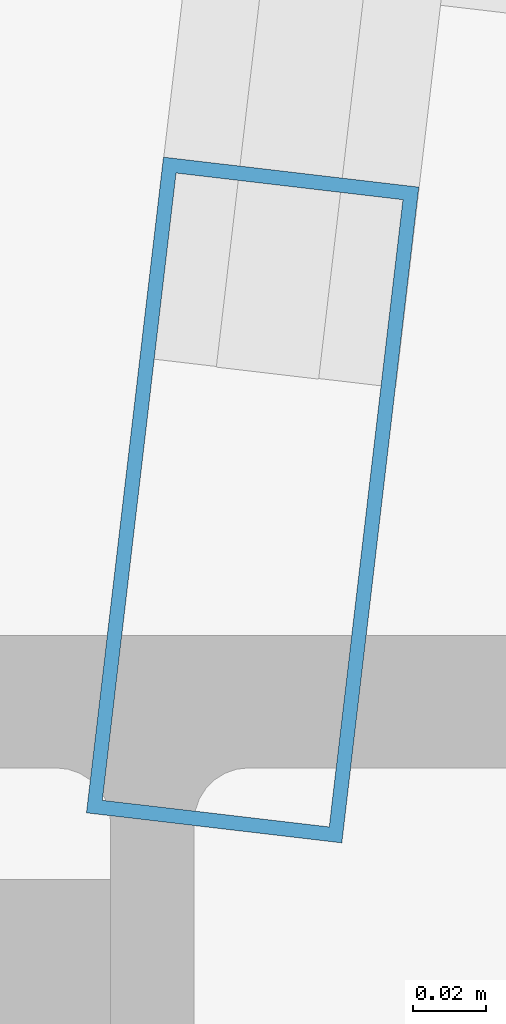
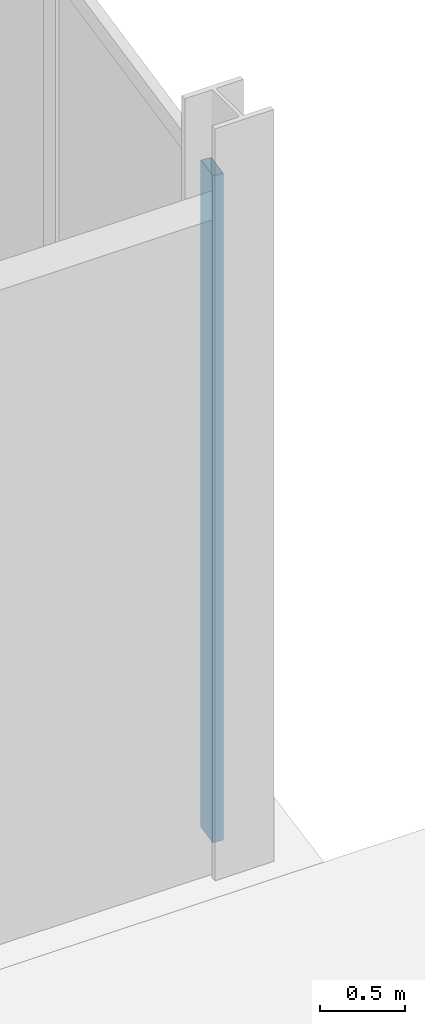
# One storey, part 23 of 83: 1 member, 1 element without a shape of its own.
"""IFC4 building model written with IfcOpenShell, lengths in metres."""

from ifc_helpers import new_model, si_unit, direction, frame, origin, origin_2d, place, context, subcontext, project, spatial, hollow_rectangle, extrude, material, layer, layer_set, material_profile, profile_set, type_object, element, aggregate, save


model = new_model("IFC4")

# Units and contexts
model_context = context("Model", 3, precision=1e-05, world=origin(), true_north=direction((0.0, 1.0)))
body_context = subcontext(model_context, "Body", "Model", "MODEL_VIEW")
ifc_project = project(units=[si_unit("LENGTHUNIT", "METRE"), si_unit("AREAUNIT", "SQUARE_METRE"), si_unit("VOLUMEUNIT", "CUBIC_METRE"), si_unit("PLANEANGLEUNIT", "RADIAN"), si_unit("MASSUNIT", "GRAM", prefix="KILO")], contexts=[model_context])

# Site, building, storey
site_placement = place(None, origin())
site = spatial("IfcSite", under=ifc_project, at=site_placement, CompositionType="ELEMENT")
building_placement = place(site_placement, origin())
building = spatial("IfcBuilding", under=site, at=building_placement, Name="Quillay Park Conservatory", CompositionType="ELEMENT")
storey_placement = place(building_placement, origin())
storey = spatial("IfcBuildingStorey", under=building, at=storey_placement, Name="L00", CompositionType="ELEMENT", Elevation=0.0)

# Curtain wall, member
ifc_material_1 = material(Name="Thermally Broken Anodised Aluminium 6063-T6", Category="aluminium")
ifc_layer = layer(ifc_material_1, 0.179931640625)
ifc_layer_set = layer_set([ifc_layer], Name="UNITISED CURTAIN WALL TOWER (Thermally Broken Anodised Aluminium 6063-T6)")
curtain_wall_type = type_object("IfcCurtainWallType", Name="UNITISED CURTAIN WALL TOWER", PredefinedType="USERDEFINED", material=ifc_layer_set)
curtain_wall_placement = place(storey_placement, origin())
curtain_wall = element("IfcCurtainWall", 1, at=curtain_wall_placement, inside=storey, type_object=curtain_wall_type, Name="L00 Unitised Curtain Wall 001", ObjectType="UNITISED CURTAIN WALL", PredefinedType="USERDEFINED")
ifc_material_2 = material(Name="Thermally Broken Anodised Aluminium 6063-T6", Category="aluminium")
ifc_material_profile = material_profile(ifc_material_2, hollow_rectangle(XDim=0.070068359375, YDim=0.179931640625, WallThickness=0.00390625, at=origin_2d()), Name="AL70x180x4")
ifc_profile_set = profile_set([ifc_material_profile], Name="Thermally Broken Anodised Aluminium 6063-T6")
member_type = type_object("IfcMemberType", Name="CURTAIN WALL MULLION 70 X180", PredefinedType="MULLION", material=ifc_profile_set)
member_placement = place(storey_placement, frame((27.952392578125, 63.283447265625, 0.0), z_axis=(0.0, 0.0, 1.0), x_axis=(0.993172502804, -0.116654959918, 0.0)))
member = element("IfcMember", 2, at=member_placement, type_object=member_type, Name="CW-T1 mullion 4", PredefinedType="MULLION", context=body_context, shape_type="SweptSolid", body=[
    extrude(hollow_rectangle(XDim=0.070068359375, YDim=0.179931640625, WallThickness=0.00390625, at=origin_2d()), origin(), (0.0, 0.0, 1.0), 4.7890625),
])
aggregate(curtain_wall, [member])

save(model, "model.ifc")
